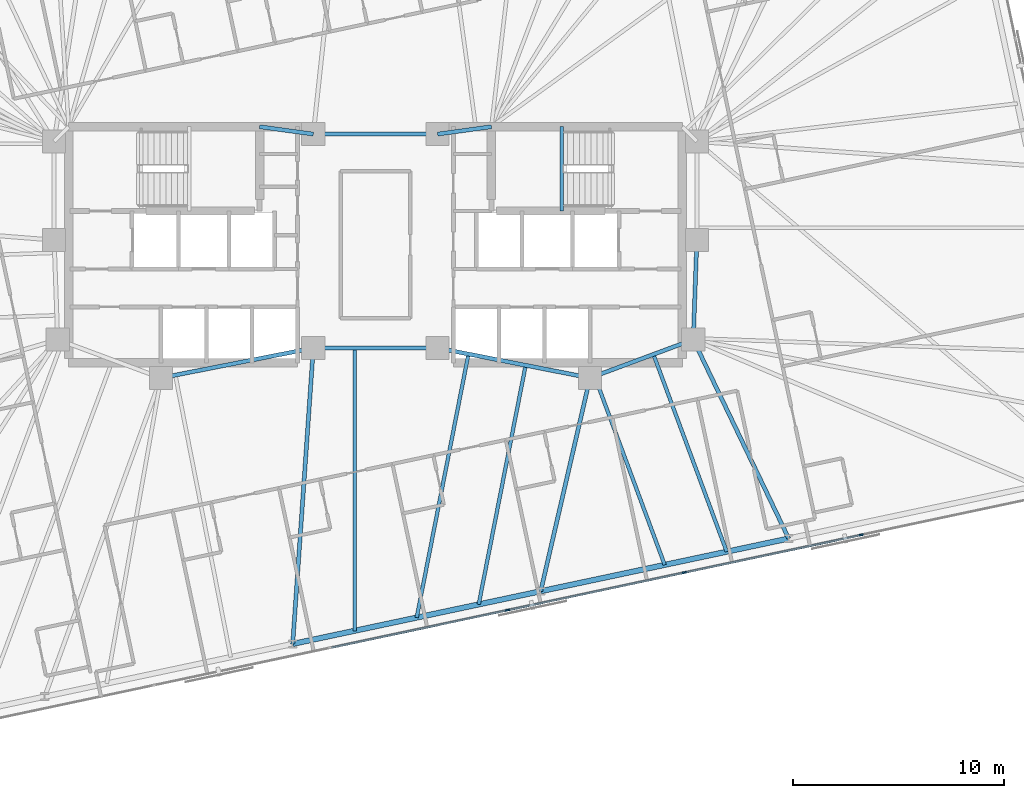
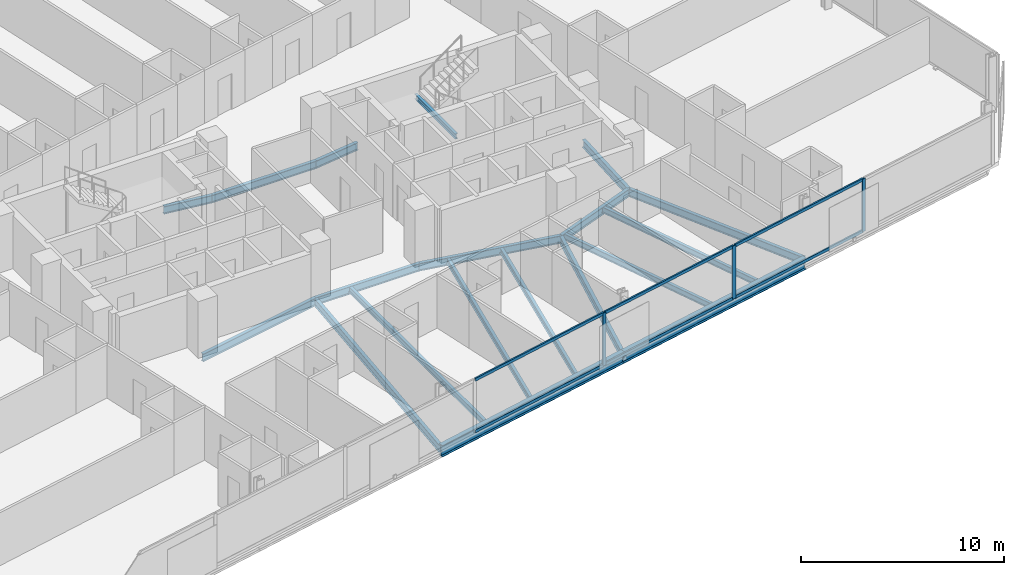
# One storey, part 7 of 21: 19 beams, 9 members, 1 element without a shape of its own.
"""IFC4 building model written with IfcOpenShell, lengths in metres."""

from ifc_helpers import new_model, si_unit, direction, frame, origin, origin_2d, place, context, subcontext, project, spatial, rectangle, i_section, extrude, material, material_profile, profile_set, type_object, element, aggregate, save


model = new_model("IFC4")

# Units and contexts
model_context = context("Model", 3, precision=1e-05, world=origin(), true_north=direction((0.0, 1.0)))
body_context = subcontext(model_context, "Body", "Model", "MODEL_VIEW")
ifc_project = project(units=[si_unit("LENGTHUNIT", "METRE"), si_unit("AREAUNIT", "SQUARE_METRE"), si_unit("VOLUMEUNIT", "CUBIC_METRE"), si_unit("PLANEANGLEUNIT", "RADIAN"), si_unit("MASSUNIT", "GRAM", prefix="KILO")], contexts=[model_context])

# Site, building, storey
site_placement = place(None, origin())
site = spatial("IfcSite", under=ifc_project, at=site_placement, CompositionType="ELEMENT")
building_placement = place(site_placement, origin())
building = spatial("IfcBuilding", under=site, at=building_placement, Name="Menara Jurai Vektor", CompositionType="ELEMENT")
storey_placement = place(building_placement, frame((0.0, 0.0, 165.0)))
storey = spatial("IfcBuildingStorey", under=building, at=storey_placement, Name="L42", CompositionType="ELEMENT", Elevation=165.0)

# Curtain wall, members
ifc_material_1 = material(Name="Anodised Pale Aluminium & Low-E Double Glazing", Category="aluminium")
curtain_wall_type = type_object("IfcCurtainWallType", Name="CW-BLK3", PredefinedType="NOTDEFINED", material=ifc_material_1)
curtain_wall_placement = place(storey_placement, origin())
curtain_wall = element("IfcCurtainWall", 1, at=curtain_wall_placement, inside=storey, type_object=curtain_wall_type, Name="Unitised Curtain Wall L42 F01", PredefinedType="NOTDEFINED")
ifc_material_2 = material(Name="Anodised Pale Aluminium Mullion", Category="aluminium")
ifc_material_profile_1 = material_profile(ifc_material_2, rectangle(XDim=0.0849609375, YDim=0.205078125, at=origin_2d()), Name="ALU MUL 85x205")
ifc_profile_set_1 = profile_set([ifc_material_profile_1], Name="Anodised Pale Aluminium Mullion")
member_type_1 = type_object("IfcMemberType", Name="CW-BLK3-MUL", PredefinedType="MULLION", material=ifc_profile_set_1)
member_1_placement = place(storey_placement, frame((6.264892578125, -17.338623046875, 0.0), z_axis=(0.0, 0.0, 1.0), x_axis=(-0.207911344156, 0.978147674419, 0.0)))
member_1 = element("IfcMember", 2, at=member_1_placement, type_object=member_type_1, Name="CW-03 mullion 5", PredefinedType="MULLION", context=body_context, shape_type="SweptSolid", body=[
    extrude(rectangle(XDim=0.0849609375, YDim=0.205078125, at=origin_2d()), origin(), (0.0, 0.0, 1.0), 3.175048828125),
])
member_2_placement = place(storey_placement, frame((14.65478515625, -15.55517578125, 0.0), z_axis=(0.0, 0.0, 1.0), x_axis=(-0.207911344156, 0.978147674419, 0.0)))
member_2 = element("IfcMember", 3, at=member_2_placement, type_object=member_type_1, Name="CW-03 mullion 6", PredefinedType="MULLION", context=body_context, shape_type="SweptSolid", body=[
    extrude(rectangle(XDim=0.0849609375, YDim=0.205078125, at=origin_2d()), origin(), (0.0, 0.0, 1.0), 3.175048828125),
])
member_3_placement = place(storey_placement, frame((23.04443359375, -13.77197265625, 0.0), z_axis=(0.0, 0.0, 1.0), x_axis=(-0.207911344156, 0.978147674419, 0.0)))
member_3 = element("IfcMember", 4, at=member_3_placement, type_object=member_type_1, Name="CW-03 mullion 7", PredefinedType="MULLION", context=body_context, shape_type="SweptSolid", body=[
    extrude(rectangle(XDim=0.0849609375, YDim=0.205078125, at=origin_2d()), origin(), (0.0, 0.0, 1.0), 3.175048828125),
])
ifc_material_3 = material(Name="Anodised Pale Aluminium Transom", Category="aluminium")
ifc_material_profile_2 = material_profile(ifc_material_3, rectangle(XDim=0.0849609375, YDim=0.175048828125, at=origin_2d()), Name="ALU TRN 85x175")
ifc_profile_set_2 = profile_set([ifc_material_profile_2], Name="Anodised Pale Aluminium Transom")
member_type_2 = type_object("IfcMemberType", Name="CW-BLK3-TRN", PredefinedType="USERDEFINED", material=ifc_profile_set_2)
member_4_placement = place(storey_placement, frame((-2.083251953125, -19.113037109375, 0.04248046875), z_axis=(0.978147743708, 0.207911018178, 0.0), x_axis=(-0.207911018178, 0.978147743708, 0.0)))
member_4 = element("IfcMember", 5, at=member_4_placement, type_object=member_type_2, Name="CW-03 transom 4.1", ObjectType="TRANSOM", PredefinedType="USERDEFINED", context=body_context, shape_type="SweptSolid", body=[
    extrude(rectangle(XDim=0.0849609375, YDim=0.175048828125, at=origin_2d()), origin(), (0.0, 0.0, 1.0), 8.4921875),
])
member_5_placement = place(storey_placement, frame((-2.083251953125, -19.113037109375, 3.132568359375), z_axis=(0.978147743708, 0.207911018178, 0.0), x_axis=(-0.207911018178, 0.978147743708, 0.0)))
member_5 = element("IfcMember", 6, at=member_5_placement, type_object=member_type_2, Name="CW-03 transom 4.2", ObjectType="TRANSOM", PredefinedType="USERDEFINED", context=body_context, shape_type="SweptSolid", body=[
    extrude(rectangle(XDim=0.0849609375, YDim=0.175048828125, at=origin_2d()), origin(), (0.0, 0.0, 1.0), 8.4921875),
])
member_6_placement = place(storey_placement, frame((6.306640625, -17.329833984375, 0.04248046875), z_axis=(0.978146500933, 0.207916864907, 0.0), x_axis=(-0.207916864907, 0.978146500933, 0.0)))
member_6 = element("IfcMember", 7, at=member_6_placement, type_object=member_type_2, Name="CW-03 transom 5.1", ObjectType="TRANSOM", PredefinedType="USERDEFINED", context=body_context, shape_type="SweptSolid", body=[
    extrude(rectangle(XDim=0.0849609375, YDim=0.175048828125, at=origin_2d()), origin(), (0.0, 0.0, 1.0), 8.491943359375),
])
member_7_placement = place(storey_placement, frame((6.306640625, -17.329833984375, 3.132568359375), z_axis=(0.978146500933, 0.207916864907, 0.0), x_axis=(-0.207916864907, 0.978146500933, 0.0)))
member_7 = element("IfcMember", 8, at=member_7_placement, type_object=member_type_2, Name="CW-03 transom 5.2", ObjectType="TRANSOM", PredefinedType="USERDEFINED", context=body_context, shape_type="SweptSolid", body=[
    extrude(rectangle(XDim=0.0849609375, YDim=0.175048828125, at=origin_2d()), origin(), (0.0, 0.0, 1.0), 8.491943359375),
])
member_8_placement = place(storey_placement, frame((14.6962890625, -15.54638671875, 0.04248046875), z_axis=(0.978147743708, 0.207911018178, 0.0), x_axis=(-0.207911018178, 0.978147743708, 0.0)))
member_8 = element("IfcMember", 9, at=member_8_placement, type_object=member_type_2, Name="CW-03 transom 6.1", ObjectType="TRANSOM", PredefinedType="USERDEFINED", context=body_context, shape_type="SweptSolid", body=[
    extrude(rectangle(XDim=0.0849609375, YDim=0.175048828125, at=origin_2d()), origin(), (0.0, 0.0, 1.0), 8.4921875),
])
member_9_placement = place(storey_placement, frame((14.6962890625, -15.54638671875, 3.132568359375), z_axis=(0.978147743708, 0.207911018178, 0.0), x_axis=(-0.207911018178, 0.978147743708, 0.0)))
member_9 = element("IfcMember", 10, at=member_9_placement, type_object=member_type_2, Name="CW-03 transom 6.2", ObjectType="TRANSOM", PredefinedType="USERDEFINED", context=body_context, shape_type="SweptSolid", body=[
    extrude(rectangle(XDim=0.0849609375, YDim=0.175048828125, at=origin_2d()), origin(), (0.0, 0.0, 1.0), 8.4921875),
])
aggregate(curtain_wall, [member_1, member_2, member_3, member_4, member_5, member_6, member_7, member_8, member_9])

# Beams
ifc_material_4 = material(Name="Steel S355", Category="steel")
ifc_material_profile_3 = material_profile(ifc_material_4, i_section(OverallWidth=0.19091796875, OverallDepth=0.4599609375, WebThickness=0.010009765625, FlangeThickness=0.01611328125, FilletRadius=0.010009765625, at=origin_2d()), Name="UKB 457x191x82")
ifc_profile_set_3 = profile_set([ifc_material_profile_3], Name="Steel S355")
beam_type_1 = type_object("IfcBeamType", Name="STR-BM-457", PredefinedType="BEAM", material=ifc_profile_set_3)
beam_1_placement = place(storey_placement, frame((-5.5, 5.60009765625, -0.455078125), z_axis=(0.990706818608, -0.136014703483, 0.0), x_axis=(0.136014703483, 0.990706818608, 0.0)))
element("IfcBeam", 11, at=beam_1_placement, inside=storey, type_object=beam_type_1, Name="Core Ring Header Girder L42-CHW-N2", PredefinedType="BEAM", context=body_context, shape_type="SweptSolid", body=[
    extrude(i_section(OverallWidth=0.19091796875, OverallDepth=0.4599609375, WebThickness=0.010009765625, FlangeThickness=0.01611328125, FilletRadius=0.010009765625, at=origin_2d()), origin(), (0.0, 0.0, 1.0), 2.573974609375),
])
beam_2_placement = place(storey_placement, frame((-10.179931640625, -6.320068359375, -0.455078125), z_axis=(0.981249044334, 0.192744164614, 0.0), x_axis=(-0.192744164614, 0.981249044334, 0.0)))
element("IfcBeam", 12, at=beam_2_placement, inside=storey, type_object=beam_type_1, Name="Core Ring Header Girder L42-CHW-S2", PredefinedType="BEAM", context=body_context, shape_type="SweptSolid", body=[
    extrude(i_section(OverallWidth=0.19091796875, OverallDepth=0.4599609375, WebThickness=0.010009765625, FlangeThickness=0.01611328125, FilletRadius=0.010009765625, at=origin_2d()), origin(), (0.0, 0.0, 1.0), 7.3681640625),
])
beam_3_placement = place(storey_placement, frame((2.949951171875, 5.25, -0.455078125), z_axis=(0.990706818608, 0.136014703483, 0.0), x_axis=(-0.136014703483, 0.990706818608, 0.0)))
element("IfcBeam", 13, at=beam_3_placement, inside=storey, type_object=beam_type_1, Name="Core Ring Header Girder L42-CHE-N1", PredefinedType="BEAM", context=body_context, shape_type="SweptSolid", body=[
    extrude(i_section(OverallWidth=0.19091796875, OverallDepth=0.4599609375, WebThickness=0.010009765625, FlangeThickness=0.01611328125, FilletRadius=0.010009765625, at=origin_2d()), origin(), (0.0, 0.0, 1.0), 2.573974609375),
])
beam_4_placement = place(storey_placement, frame((15.080078125, -4.5, -0.455078125), z_axis=(0.035977314146, 0.999352606874, 0.0), x_axis=(-0.999352606874, 0.035977314146, 0.0)))
element("IfcBeam", 14, at=beam_4_placement, inside=storey, type_object=beam_type_1, Name="Core Ring Header Girder L42-CHE-E2", PredefinedType="BEAM", context=body_context, shape_type="SweptSolid", body=[
    extrude(i_section(OverallWidth=0.19091796875, OverallDepth=0.4599609375, WebThickness=0.010009765625, FlangeThickness=0.01611328125, FilletRadius=0.010009765625, at=origin_2d()), origin(), (0.0, 0.0, 1.0), 4.72314453125),
])
beam_5_placement = place(storey_placement, frame((10.179931640625, -6.320068359375, -0.455078125), z_axis=(0.937424400887, 0.348188874925, 0.0), x_axis=(-0.348188874925, 0.937424400887, 0.0)))
element("IfcBeam", 15, at=beam_5_placement, inside=storey, type_object=beam_type_1, Name="Core Ring Header Girder L42-CHE-S1", PredefinedType="BEAM", context=body_context, shape_type="SweptSolid", body=[
    extrude(i_section(OverallWidth=0.19091796875, OverallDepth=0.4599609375, WebThickness=0.010009765625, FlangeThickness=0.01611328125, FilletRadius=0.010009765625, at=origin_2d()), origin(), (0.0, 0.0, 1.0), 5.227294921875),
])
beam_6_placement = place(storey_placement, frame((2.949951171875, -4.89990234375, -0.455078125), z_axis=(0.981249044334, -0.192744164614, 0.0), x_axis=(0.192744164614, 0.981249044334, 0.0)))
element("IfcBeam", 16, at=beam_6_placement, inside=storey, type_object=beam_type_1, Name="Core Ring Header Girder L42-CHE-S2", PredefinedType="BEAM", context=body_context, shape_type="SweptSolid", body=[
    extrude(i_section(OverallWidth=0.19091796875, OverallDepth=0.4599609375, WebThickness=0.010009765625, FlangeThickness=0.01611328125, FilletRadius=0.010009765625, at=origin_2d()), origin(), (0.0, 0.0, 1.0), 7.3681640625),
])
for number, where, z_axis, x_axis, name in (
    (17, (-2.949951171875, -4.89990234375, -0.455078125), (1.0, 0.0, 0.0), (0.0, 1.0, 0.0), "Core Ring Header Girder L42-CC-1"),
    (18, (-2.949951171875, 5.25, -0.455078125), (1.0, 0.0, 0.0), (0.0, 1.0, 0.0), "Core Ring Header Girder L42-CC-2"),
):
    element("IfcBeam", number, at=place(storey_placement, frame(where, z_axis=z_axis, x_axis=x_axis)), inside=storey, type_object=beam_type_1, Name=name, PredefinedType="BEAM", context=body_context, shape_type="SweptSolid", body=[
        extrude(i_section(OverallWidth=0.19091796875, OverallDepth=0.4599609375, WebThickness=0.010009765625, FlangeThickness=0.01611328125, FilletRadius=0.010009765625, at=origin_2d()), origin(), (0.0, 0.0, 1.0), 5.89990234375),
    ])
beam_7_placement = place(storey_placement, frame((-3.928466796875, -18.94287109375, -0.455078125), z_axis=(0.06951156523, 0.997581145722, 0.0), x_axis=(-0.997581145722, 0.06951156523, 0.0)))
element("IfcBeam", 19, at=beam_7_placement, inside=storey, type_object=beam_type_1, Name="Radial Floor Girder L42-S3", PredefinedType="BEAM", context=body_context, shape_type="SweptSolid", body=[
    extrude(i_section(OverallWidth=0.19091796875, OverallDepth=0.4599609375, WebThickness=0.010009765625, FlangeThickness=0.01611328125, FilletRadius=0.010009765625, at=origin_2d()), origin(), (0.0, 0.0, 1.0), 14.076904296875),
])
beam_8_placement = place(storey_placement, frame((7.83984375, -16.44140625, -0.455078125), z_axis=(0.225261124248, 0.974298427538, 0.0), x_axis=(-0.974298427538, 0.225261124248, 0.0)))
element("IfcBeam", 20, at=beam_8_placement, inside=storey, type_object=beam_type_1, Name="Radial Floor Girder L42-S4", PredefinedType="BEAM", context=body_context, shape_type="SweptSolid", body=[
    extrude(i_section(OverallWidth=0.19091796875, OverallDepth=0.4599609375, WebThickness=0.010009765625, FlangeThickness=0.01611328125, FilletRadius=0.010009765625, at=origin_2d()), origin(), (0.0, 0.0, 1.0), 10.388427734375),
])
beam_9_placement = place(storey_placement, frame((19.608154296875, -13.940185546875, -0.455078125), z_axis=(-0.432481646932, 0.901642736935, 0.0), x_axis=(-0.901642736935, -0.432481646932, 0.0)))
element("IfcBeam", 21, at=beam_9_placement, inside=storey, type_object=beam_type_1, Name="Radial Floor Girder L42-S5", PredefinedType="BEAM", context=body_context, shape_type="SweptSolid", body=[
    extrude(i_section(OverallWidth=0.19091796875, OverallDepth=0.4599609375, WebThickness=0.010009765625, FlangeThickness=0.01611328125, FilletRadius=0.010009765625, at=origin_2d()), origin(), (0.0, 0.0, 1.0), 10.469970703125),
])
ifc_material_profile_4 = material_profile(ifc_material_4, i_section(OverallWidth=0.172119140625, OverallDepth=0.35498046875, WebThickness=0.007080078125, FlangeThickness=0.011962890625, FilletRadius=0.010009765625, at=origin_2d()), Name="UKB 356x171x51")
ifc_profile_set_4 = profile_set([ifc_material_profile_4], Name="Steel S355")
beam_type_2 = type_object("IfcBeamType", Name="STR-JS-356", PredefinedType="JOIST", material=ifc_profile_set_4)
beam_10_placement = place(storey_placement, frame((-0.986328125, -18.3173828125, -0.402587890625), z_axis=(0.0, 1.0, 0.0), x_axis=(-1.0, 0.0, 0.0)))
element("IfcBeam", 22, at=beam_10_placement, inside=storey, type_object=beam_type_2, Name="Radial Secondary Floor Joist L42-JS05", PredefinedType="JOIST", context=body_context, shape_type="SweptSolid", body=[
    extrude(i_section(OverallWidth=0.172119140625, OverallDepth=0.35498046875, WebThickness=0.007080078125, FlangeThickness=0.011962890625, FilletRadius=0.010009765625, at=origin_2d()), origin(), (0.0, 0.0, 1.0), 13.41748046875),
])
beam_11_placement = place(storey_placement, frame((1.955810546875, -17.692138671875, -0.402587890625), z_axis=(0.192721917664, 0.981253413982, 0.0), x_axis=(-0.981253413982, 0.192721917664, 0.0)))
element("IfcBeam", 23, at=beam_11_placement, inside=storey, type_object=beam_type_2, Name="Radial Secondary Floor Joist L42-JS06", PredefinedType="JOIST", context=body_context, shape_type="SweptSolid", body=[
    extrude(i_section(OverallWidth=0.172119140625, OverallDepth=0.35498046875, WebThickness=0.007080078125, FlangeThickness=0.011962890625, FilletRadius=0.010009765625, at=origin_2d()), origin(), (0.0, 0.0, 1.0), 12.744140625),
])
beam_12_placement = place(storey_placement, frame((4.897705078125, -17.06689453125, -0.402587890625), z_axis=(0.19272061905, 0.981253669034, 0.0), x_axis=(-0.981253669034, 0.19272061905, 0.0)))
element("IfcBeam", 24, at=beam_12_placement, inside=storey, type_object=beam_type_2, Name="Radial Secondary Floor Joist L42-JS07", PredefinedType="JOIST", context=body_context, shape_type="SweptSolid", body=[
    extrude(i_section(OverallWidth=0.172119140625, OverallDepth=0.35498046875, WebThickness=0.007080078125, FlangeThickness=0.011962890625, FilletRadius=0.010009765625, at=origin_2d()), origin(), (0.0, 0.0, 1.0), 11.5634765625),
])
beam_13_placement = place(storey_placement, frame((13.72412109375, -15.19091796875, -0.402587890625), z_axis=(-0.348196799641, 0.93742145736, 0.0), x_axis=(-0.93742145736, -0.348196799641, 0.0)))
element("IfcBeam", 25, at=beam_13_placement, inside=storey, type_object=beam_type_2, Name="Radial Secondary Floor Joist L42-JS08", PredefinedType="JOIST", context=body_context, shape_type="SweptSolid", body=[
    extrude(i_section(OverallWidth=0.172119140625, OverallDepth=0.35498046875, WebThickness=0.007080078125, FlangeThickness=0.011962890625, FilletRadius=0.010009765625, at=origin_2d()), origin(), (0.0, 0.0, 1.0), 9.5498046875),
])
beam_14_placement = place(storey_placement, frame((16.666015625, -14.5654296875, -0.402587890625), z_axis=(-0.348180392292, 0.93742755156, 0.0), x_axis=(-0.93742755156, -0.348180392292, 0.0)))
element("IfcBeam", 26, at=beam_14_placement, inside=storey, type_object=beam_type_2, Name="Radial Secondary Floor Joist L42-JS09", PredefinedType="JOIST", context=body_context, shape_type="SweptSolid", body=[
    extrude(i_section(OverallWidth=0.172119140625, OverallDepth=0.35498046875, WebThickness=0.007080078125, FlangeThickness=0.011962890625, FilletRadius=0.010009765625, at=origin_2d()), origin(), (0.0, 0.0, 1.0), 9.98779296875),
])
ifc_material_profile_5 = material_profile(ifc_material_4, i_section(OverallWidth=0.1650390625, OverallDepth=0.302978515625, WebThickness=0.006103515625, FlangeThickness=0.010009765625, FilletRadius=0.009033203125, at=origin_2d()), Name="UKB 305x165x40")
ifc_profile_set_5 = profile_set([ifc_material_profile_5], Name="Steel S355")
beam_type_3 = type_object("IfcBeamType", Name="STR-LN-305", PredefinedType="LINTEL", material=ifc_profile_set_5)
beam_15_placement = place(storey_placement, frame((8.830078125, 1.60009765625, 1.348388671875), z_axis=(0.0, 1.0, 0.0), x_axis=(-1.0, 0.0, 0.0)))
element("IfcBeam", 27, at=beam_15_placement, inside=storey, type_object=beam_type_3, Name="Stair Half-Landing Nosing Trimmer ST2-1 L42", PredefinedType="LINTEL", context=body_context, shape_type="SweptSolid", body=[
    extrude(i_section(OverallWidth=0.1650390625, OverallDepth=0.302978515625, WebThickness=0.006103515625, FlangeThickness=0.010009765625, FilletRadius=0.009033203125, at=origin_2d()), origin(), (0.0, 0.0, 1.0), 4.0),
])
ifc_material_5 = material(Name="Steel S460", Category="steel")
ifc_material_profile_6 = material_profile(ifc_material_5, i_section(OverallWidth=0.256103515625, OverallDepth=0.693115234375, WebThickness=0.013916015625, FlangeThickness=0.02392578125, FilletRadius=0.014892578125, at=origin_2d()), Name="UKB 686x254x170")
ifc_profile_set_6 = profile_set([ifc_material_profile_6], Name="Steel S460")
beam_type_4 = type_object("IfcBeamType", Name="STR-SP-686", PredefinedType="SPANDREL", material=ifc_profile_set_6)
for number, where, z_axis, x_axis, name in (
    (28, (-3.928466796875, -18.94287109375, -0.571533203125), (0.978147039247, 0.207914332389, 0.0), (-0.207914332389, 0.978147039247, 0.0), "Exoskeleton Spandrel Beam L42-03"),
    (29, (7.83984375, -16.44140625, -0.571533203125), (0.978151165921, 0.207894917222, 0.0), (-0.207894917222, 0.978151165921, 0.0), "Exoskeleton Spandrel Beam L42-04"),
):
    element("IfcBeam", number, at=place(storey_placement, frame(where, z_axis=z_axis, x_axis=x_axis)), inside=storey, type_object=beam_type_4, Name=name, PredefinedType="SPANDREL", context=body_context, shape_type="SweptSolid", body=[
        extrude(i_section(OverallWidth=0.256103515625, OverallDepth=0.693115234375, WebThickness=0.013916015625, FlangeThickness=0.02392578125, FilletRadius=0.014892578125, at=origin_2d()), origin(), (0.0, 0.0, 1.0), 12.03125),
    ])

save(model, "model.ifc")
